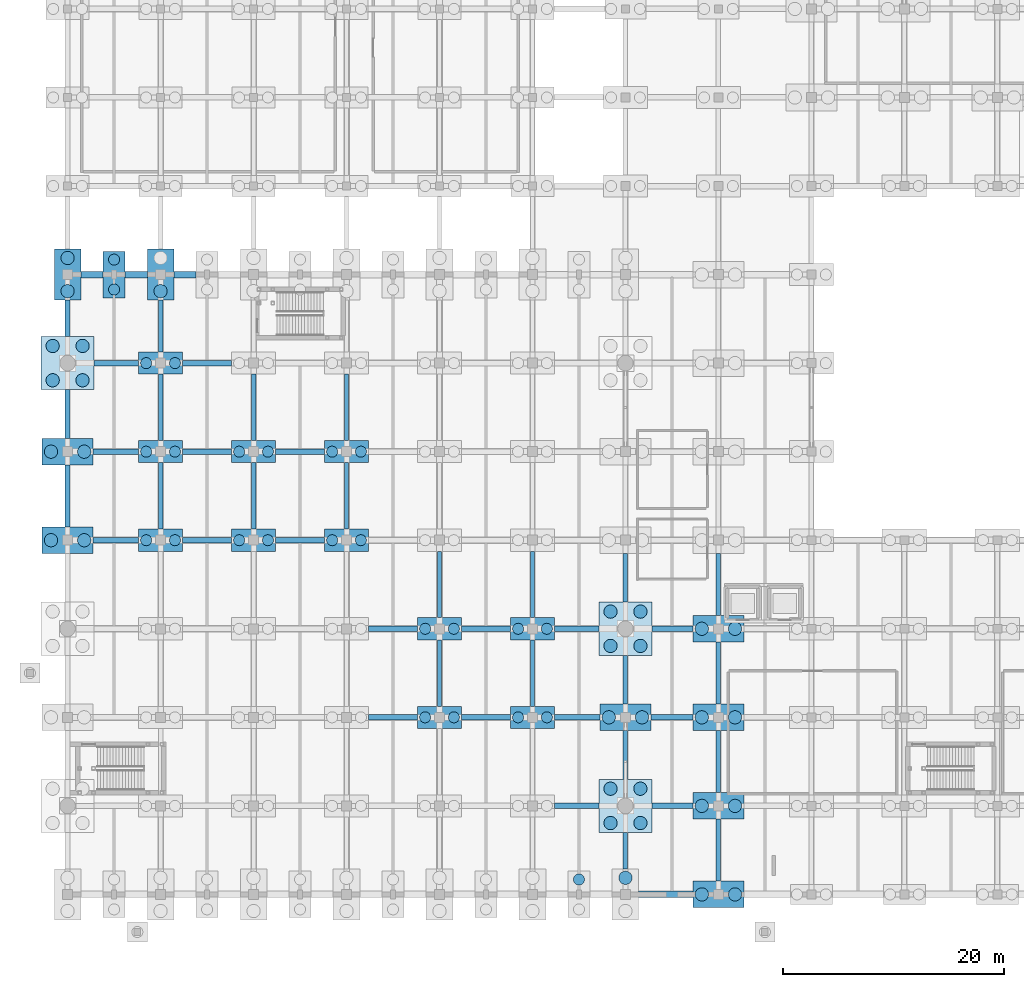
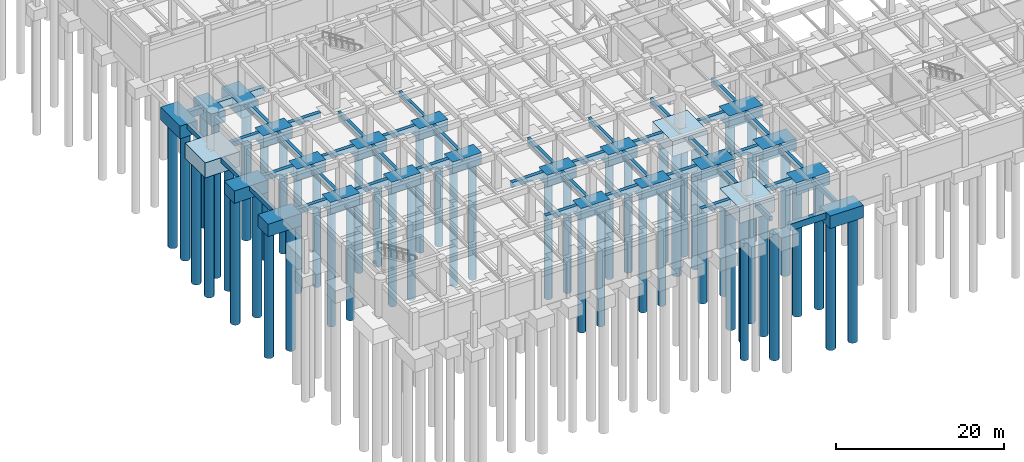
# One storey, part 2 of 56: 68 footings, 55 piles.
"""IFC4 building model written with IfcOpenShell, lengths in metres."""

from ifc_helpers import new_model, si_unit, direction, frame, origin, origin_2d, place, context, subcontext, project, spatial, rectangle, circle, extrude, material, material_profile, profile_set, type_object, element, save


model = new_model("IFC4")

# Units and contexts
model_context = context("Model", 3, precision=1e-05, world=origin(), true_north=direction((0.0, 1.0)))
body_context = subcontext(model_context, "Body", "Model", "MODEL_VIEW")
ifc_project = project(units=[si_unit("LENGTHUNIT", "METRE"), si_unit("AREAUNIT", "SQUARE_METRE"), si_unit("VOLUMEUNIT", "CUBIC_METRE"), si_unit("PLANEANGLEUNIT", "RADIAN"), si_unit("MASSUNIT", "GRAM", prefix="KILO")], contexts=[model_context])

# Site, building, storey
site_placement = place(None, origin())
site = spatial("IfcSite", under=ifc_project, at=site_placement, CompositionType="ELEMENT")
building_placement = place(site_placement, origin())
building = spatial("IfcBuilding", under=site, at=building_placement, Name="Naruveol Harbour Congress Hotel", CompositionType="ELEMENT")
storey_placement = place(building_placement, frame((0.0, 0.0, -5.39990234375)))
storey = spatial("IfcBuildingStorey", under=building, at=storey_placement, Name="B01", CompositionType="ELEMENT", Elevation=-5.39990234375)

# Piles
ifc_material_1 = material(Name="Concrete C40/50", Category="concrete")
ifc_material_profile_1 = material_profile(ifc_material_1, circle(Radius=0.5, at=origin_2d()), Name="BP-1000")
ifc_profile_set_1 = profile_set([ifc_material_profile_1], Name="Concrete C40/50")
pile_type_1 = type_object("IfcPileType", Name="BORED ROCK SOCKETED PILE D1000", PredefinedType="BORED", material=ifc_profile_set_1)
for number, where, z_axis, x_axis, name in (
    (1, (4.199951171875, 54.64990234375, -1.550048828125), (0.0, 0.0, -1.0), (1.0, 0.0, 0.0), "Bored pile BP-1000 #1 under FTG-CAP-0042-0560"),
    (2, (4.199951171875, 57.35009765625, -1.550048828125), (0.0, 0.0, -1.0), (1.0, 0.0, 0.0), "Bored pile BP-1000 #2 under FTG-CAP-0042-0560"),
    (3, (7.10009765625, 32.0, -1.550048828125), (0.0, 0.0, -1.0), (1.0, 0.0, 0.0), "Bored pile BP-1000 #1 under FTG-CAP-0084-0320"),
    (4, (9.699951171875, 32.0, -1.550048828125), (0.0, 0.0, -1.0), (1.0, 0.0, 0.0), "Bored pile BP-1000 #2 under FTG-CAP-0084-0320"),
    (5, (7.10009765625, 40.0, -1.550048828125), (0.0, 0.0, -1.0), (1.0, 0.0, 0.0), "Bored pile BP-1000 #1 under FTG-CAP-0084-0400"),
    (6, (9.699951171875, 40.0, -1.550048828125), (0.0, 0.0, -1.0), (1.0, 0.0, 0.0), "Bored pile BP-1000 #2 under FTG-CAP-0084-0400"),
    (7, (7.10009765625, 48.0, -1.550048828125), (0.0, 0.0, -1.0), (1.0, 0.0, 0.0), "Bored pile BP-1000 #1 under FTG-CAP-0084-0480"),
    (8, (9.699951171875, 48.0, -1.550048828125), (0.0, 0.0, -1.0), (1.0, 0.0, 0.0), "Bored pile BP-1000 #2 under FTG-CAP-0084-0480"),
    (9, (15.5, 32.0, -1.550048828125), (0.0, 0.0, -1.0), (1.0, 0.0, 0.0), "Bored pile BP-1000 #1 under FTG-CAP-0168-0320"),
    (10, (18.10009765625, 32.0, -1.550048828125), (0.0, 0.0, -1.0), (1.0, 0.0, 0.0), "Bored pile BP-1000 #2 under FTG-CAP-0168-0320"),
    (11, (15.5, 40.0, -1.550048828125), (0.0, 0.0, -1.0), (1.0, 0.0, 0.0), "Bored pile BP-1000 #1 under FTG-CAP-0168-0400"),
    (12, (18.10009765625, 40.0, -1.550048828125), (0.0, 0.0, -1.0), (1.0, 0.0, 0.0), "Bored pile BP-1000 #2 under FTG-CAP-0168-0400"),
    (13, (23.89990234375, 32.0, -1.550048828125), (0.0, 0.0, -1.0), (1.0, 0.0, 0.0), "Bored pile BP-1000 #1 under FTG-CAP-0252-0320"),
    (14, (26.5, 32.0, -1.550048828125), (0.0, 0.0, -1.0), (1.0, 0.0, 0.0), "Bored pile BP-1000 #2 under FTG-CAP-0252-0320"),
    (15, (23.89990234375, 40.0, -1.550048828125), (0.0, 0.0, -1.0), (1.0, 0.0, 0.0), "Bored pile BP-1000 #1 under FTG-CAP-0252-0400"),
    (16, (26.5, 40.0, -1.550048828125), (0.0, 0.0, -1.0), (1.0, 0.0, 0.0), "Bored pile BP-1000 #2 under FTG-CAP-0252-0400"),
    (17, (32.300048828125, 16.0, -1.550048828125), (0.0, 0.0, -1.0), (1.0, 0.0, 0.0), "Bored pile BP-1000 #1 under FTG-CAP-0336-0160"),
    (18, (34.89990234375, 16.0, -1.550048828125), (0.0, 0.0, -1.0), (1.0, 0.0, 0.0), "Bored pile BP-1000 #2 under FTG-CAP-0336-0160"),
    (19, (32.300048828125, 24.0, -1.550048828125), (0.0, 0.0, -1.0), (1.0, 0.0, 0.0), "Bored pile BP-1000 #1 under FTG-CAP-0336-0240"),
    (20, (34.89990234375, 24.0, -1.550048828125), (0.0, 0.0, -1.0), (1.0, 0.0, 0.0), "Bored pile BP-1000 #2 under FTG-CAP-0336-0240"),
    (21, (40.699951171875, 16.0, -1.550048828125), (0.0, 0.0, -1.0), (1.0, 0.0, 0.0), "Bored pile BP-1000 #1 under FTG-CAP-0420-0160"),
    (22, (43.300048828125, 16.0, -1.550048828125), (0.0, 0.0, -1.0), (1.0, 0.0, 0.0), "Bored pile BP-1000 #2 under FTG-CAP-0420-0160"),
    (23, (40.699951171875, 24.0, -1.550048828125), (0.0, 0.0, -1.0), (1.0, 0.0, 0.0), "Bored pile BP-1000 #1 under FTG-CAP-0420-0240"),
    (24, (43.300048828125, 24.0, -1.550048828125), (0.0, 0.0, -1.0), (1.0, 0.0, 0.0), "Bored pile BP-1000 #2 under FTG-CAP-0420-0240"),
    (25, (46.199951171875, 1.35009765625, -1.550048828125), (0.0, 0.0, -1.0), (1.0, 0.0, 0.0), "Bored pile BP-1000 #2 under FTG-CAP-0462-0000"),
):
    element("IfcPile", number, at=place(storey_placement, frame(where, z_axis=z_axis, x_axis=x_axis)), inside=storey, type_object=pile_type_1, Name=name, PredefinedType="BORED", context=body_context, shape_type="SweptSolid", body=[
        extrude(circle(Radius=0.5, at=origin_2d()), origin(), (0.0, 0.0, 1.0), 17.050048828125),
    ])
ifc_material_2 = material(Name="Concrete C40/50", Category="concrete")
ifc_material_profile_2 = material_profile(ifc_material_2, circle(Radius=0.60009765625, at=origin_2d()), Name="BP-1200")
ifc_profile_set_2 = profile_set([ifc_material_profile_2], Name="Concrete C40/50")
pile_type_2 = type_object("IfcPileType", Name="BORED ROCK SOCKETED PILE D1200", PredefinedType="BORED", material=ifc_profile_set_2)
for number, where, z_axis, x_axis, name in (
    (26, (-1.5, 32.0, -1.650146484375), (0.0, 0.0, -1.0), (1.0, 0.0, 0.0), "Bored pile BP-1200 #1 under FTG-CAP-0000-0320"),
    (27, (1.5, 32.0, -1.650146484375), (0.0, 0.0, -1.0), (1.0, 0.0, 0.0), "Bored pile BP-1200 #2 under FTG-CAP-0000-0320"),
    (28, (-1.5, 40.0, -1.650146484375), (0.0, 0.0, -1.0), (1.0, 0.0, 0.0), "Bored pile BP-1200 #1 under FTG-CAP-0000-0400"),
    (29, (1.5, 40.0, -1.650146484375), (0.0, 0.0, -1.0), (1.0, 0.0, 0.0), "Bored pile BP-1200 #2 under FTG-CAP-0000-0400"),
):
    element("IfcPile", number, at=place(storey_placement, frame(where, z_axis=z_axis, x_axis=x_axis)), inside=storey, type_object=pile_type_2, Name=name, PredefinedType="BORED", context=body_context, shape_type="SweptSolid", body=[
        extrude(circle(Radius=0.60009765625, at=origin_2d()), origin(), (0.0, 0.0, 1.0), 18.449951171875),
    ])
for number, where, z_axis, x_axis, name in (
    (30, (-1.35009765625, 46.449951171875, -2.050048828125), (0.0, 0.0, -1.0), (1.0, 0.0, 0.0), "Bored pile BP-1200 #1 under FTG-CAP-0000-0480"),
    (31, (1.35009765625, 46.449951171875, -2.050048828125), (0.0, 0.0, -1.0), (1.0, 0.0, 0.0), "Bored pile BP-1200 #2 under FTG-CAP-0000-0480"),
    (32, (-1.35009765625, 49.550048828125, -2.050048828125), (0.0, 0.0, -1.0), (1.0, 0.0, 0.0), "Bored pile BP-1200 #3 under FTG-CAP-0000-0480"),
    (33, (1.35009765625, 49.550048828125, -2.050048828125), (0.0, 0.0, -1.0), (1.0, 0.0, 0.0), "Bored pile BP-1200 #4 under FTG-CAP-0000-0480"),
):
    element("IfcPile", number, at=place(storey_placement, frame(where, z_axis=z_axis, x_axis=x_axis)), inside=storey, type_object=pile_type_2, Name=name, PredefinedType="BORED", context=body_context, shape_type="SweptSolid", body=[
        extrude(circle(Radius=0.60009765625, at=origin_2d()), origin(), (0.0, 0.0, 1.0), 18.050048828125),
    ])
for number, where, z_axis, x_axis, name in (
    (34, (0.0, 54.5, -1.7001953125), (0.0, 0.0, -1.0), (1.0, 0.0, 0.0), "Bored pile BP-1200 #1 under FTG-CAP-0000-0560"),
    (35, (0.0, 57.5, -1.7001953125), (0.0, 0.0, -1.0), (1.0, 0.0, 0.0), "Bored pile BP-1200 #2 under FTG-CAP-0000-0560"),
    (36, (8.39990234375, 54.5, -1.7001953125), (0.0, 0.0, -1.0), (1.0, 0.0, 0.0), "Bored pile BP-1200 #1 under FTG-CAP-0084-0560"),
    (37, (50.39990234375, 1.5, -1.7001953125), (0.0, 0.0, -1.0), (1.0, 0.0, 0.0), "Bored pile BP-1200 #2 under FTG-CAP-0504-0000"),
):
    element("IfcPile", number, at=place(storey_placement, frame(where, z_axis=z_axis, x_axis=x_axis)), inside=storey, type_object=pile_type_2, Name=name, PredefinedType="BORED", context=body_context, shape_type="SweptSolid", body=[
        extrude(circle(Radius=0.60009765625, at=origin_2d()), origin(), (0.0, 0.0, 1.0), 18.39990234375),
    ])
for number, where, z_axis, x_axis, name in (
    (38, (49.050048828125, 6.449951171875, -2.050048828125), (0.0, 0.0, -1.0), (1.0, 0.0, 0.0), "Bored pile BP-1200 #1 under FTG-CAP-0504-0080"),
    (39, (51.75, 6.449951171875, -2.050048828125), (0.0, 0.0, -1.0), (1.0, 0.0, 0.0), "Bored pile BP-1200 #2 under FTG-CAP-0504-0080"),
    (40, (49.050048828125, 9.550048828125, -2.050048828125), (0.0, 0.0, -1.0), (1.0, 0.0, 0.0), "Bored pile BP-1200 #3 under FTG-CAP-0504-0080"),
    (41, (51.75, 9.550048828125, -2.050048828125), (0.0, 0.0, -1.0), (1.0, 0.0, 0.0), "Bored pile BP-1200 #4 under FTG-CAP-0504-0080"),
):
    element("IfcPile", number, at=place(storey_placement, frame(where, z_axis=z_axis, x_axis=x_axis)), inside=storey, type_object=pile_type_2, Name=name, PredefinedType="BORED", context=body_context, shape_type="SweptSolid", body=[
        extrude(circle(Radius=0.60009765625, at=origin_2d()), origin(), (0.0, 0.0, 1.0), 18.050048828125),
    ])
for number, where, z_axis, x_axis, name in (
    (42, (48.89990234375, 16.0, -1.650146484375), (0.0, 0.0, -1.0), (1.0, 0.0, 0.0), "Bored pile BP-1200 #1 under FTG-CAP-0504-0160"),
    (43, (51.89990234375, 16.0, -1.650146484375), (0.0, 0.0, -1.0), (1.0, 0.0, 0.0), "Bored pile BP-1200 #2 under FTG-CAP-0504-0160"),
):
    element("IfcPile", number, at=place(storey_placement, frame(where, z_axis=z_axis, x_axis=x_axis)), inside=storey, type_object=pile_type_2, Name=name, PredefinedType="BORED", context=body_context, shape_type="SweptSolid", body=[
        extrude(circle(Radius=0.60009765625, at=origin_2d()), origin(), (0.0, 0.0, 1.0), 18.449951171875),
    ])
for number, where, z_axis, x_axis, name in (
    (44, (49.050048828125, 22.449951171875, -2.050048828125), (0.0, 0.0, -1.0), (1.0, 0.0, 0.0), "Bored pile BP-1200 #1 under FTG-CAP-0504-0240"),
    (45, (51.75, 22.449951171875, -2.050048828125), (0.0, 0.0, -1.0), (1.0, 0.0, 0.0), "Bored pile BP-1200 #2 under FTG-CAP-0504-0240"),
    (46, (49.050048828125, 25.550048828125, -2.050048828125), (0.0, 0.0, -1.0), (1.0, 0.0, 0.0), "Bored pile BP-1200 #3 under FTG-CAP-0504-0240"),
    (47, (51.75, 25.550048828125, -2.050048828125), (0.0, 0.0, -1.0), (1.0, 0.0, 0.0), "Bored pile BP-1200 #4 under FTG-CAP-0504-0240"),
):
    element("IfcPile", number, at=place(storey_placement, frame(where, z_axis=z_axis, x_axis=x_axis)), inside=storey, type_object=pile_type_2, Name=name, PredefinedType="BORED", context=body_context, shape_type="SweptSolid", body=[
        extrude(circle(Radius=0.60009765625, at=origin_2d()), origin(), (0.0, 0.0, 1.0), 18.050048828125),
    ])
for number, where, z_axis, x_axis, name in (
    (48, (57.300048828125, 0.0, -1.650146484375), (0.0, 0.0, -1.0), (1.0, 0.0, 0.0), "Bored pile BP-1200 #1 under FTG-CAP-0588-0000"),
    (49, (60.300048828125, 0.0, -1.650146484375), (0.0, 0.0, -1.0), (1.0, 0.0, 0.0), "Bored pile BP-1200 #2 under FTG-CAP-0588-0000"),
    (50, (57.300048828125, 8.0, -1.650146484375), (0.0, 0.0, -1.0), (1.0, 0.0, 0.0), "Bored pile BP-1200 #1 under FTG-CAP-0588-0080"),
    (51, (60.300048828125, 8.0, -1.650146484375), (0.0, 0.0, -1.0), (1.0, 0.0, 0.0), "Bored pile BP-1200 #2 under FTG-CAP-0588-0080"),
    (52, (57.300048828125, 16.0, -1.650146484375), (0.0, 0.0, -1.0), (1.0, 0.0, 0.0), "Bored pile BP-1200 #1 under FTG-CAP-0588-0160"),
    (53, (60.300048828125, 16.0, -1.650146484375), (0.0, 0.0, -1.0), (1.0, 0.0, 0.0), "Bored pile BP-1200 #2 under FTG-CAP-0588-0160"),
    (54, (57.300048828125, 24.0, -1.650146484375), (0.0, 0.0, -1.0), (1.0, 0.0, 0.0), "Bored pile BP-1200 #1 under FTG-CAP-0588-0240"),
    (55, (60.300048828125, 24.0, -1.650146484375), (0.0, 0.0, -1.0), (1.0, 0.0, 0.0), "Bored pile BP-1200 #2 under FTG-CAP-0588-0240"),
):
    element("IfcPile", number, at=place(storey_placement, frame(where, z_axis=z_axis, x_axis=x_axis)), inside=storey, type_object=pile_type_2, Name=name, PredefinedType="BORED", context=body_context, shape_type="SweptSolid", body=[
        extrude(circle(Radius=0.60009765625, at=origin_2d()), origin(), (0.0, 0.0, 1.0), 18.449951171875),
    ])

# Footings
ifc_material_3 = material(Name="Concrete C40/50", Category="concrete")
footing_type_1 = type_object("IfcFootingType", Name="RC BOUNDARY PILE CAP 2400X4600X1850", PredefinedType="PILE_CAP", material=ifc_material_3)
for number, where, z_axis, x_axis, name in (
    (56, (0.0, 56.0, -1.85009765625), (0.0, 0.0, 1.0), (1.0, 0.0, 0.0), "Pile cap PC12 at (0.0, 56.0)"),
    (57, (8.39990234375, 56.0, -1.85009765625), (0.0, 0.0, 1.0), (1.0, 0.0, 0.0), "Pile cap PC12 at (8.4, 56.0)"),
):
    element("IfcFooting", number, at=place(storey_placement, frame(where, z_axis=z_axis, x_axis=x_axis)), inside=storey, type_object=footing_type_1, Name=name, PredefinedType="PILE_CAP", context=body_context, shape_type="SweptSolid", body=[
        extrude(rectangle(XDim=2.39990234375, YDim=4.60009765625, at=origin_2d()), origin(), (0.0, 0.0, 1.0), 1.85009765625),
    ])
ifc_material_4 = material(Name="Concrete C40/50", Category="concrete")
ifc_material_profile_3 = material_profile(ifc_material_4, rectangle(XDim=0.39990234375, YDim=0.64990234375, at=origin_2d()), Name="RCB-400x650")
ifc_profile_set_3 = profile_set([ifc_material_profile_3], Name="Concrete C40/50")
footing_type_2 = type_object("IfcFootingType", Name="RC COLONNADE TIE BEAM 400X650", PredefinedType="FOOTING_BEAM", material=ifc_profile_set_3)
for number, where, z_axis, x_axis, name in (
    (58, (8.39990234375, 33.0, -0.3251953125), (0.0, 1.0, 0.0), (-1.0, 0.0, 0.0), "Foundation tie beam TB4 #244"),
    (59, (8.39990234375, 41.0, -0.3251953125), (0.0, 1.0, 0.0), (-1.0, 0.0, 0.0), "Foundation tie beam TB4 #245"),
):
    element("IfcFooting", number, at=place(storey_placement, frame(where, z_axis=z_axis, x_axis=x_axis)), inside=storey, type_object=footing_type_2, Name=name, PredefinedType="FOOTING_BEAM", context=body_context, shape_type="SweptSolid", body=[
        extrude(rectangle(XDim=0.39990234375, YDim=0.64990234375, at=origin_2d()), origin(), (0.0, 0.0, 1.0), 6.0),
    ])
footing_1_placement = place(storey_placement, frame((8.39990234375, 49.0, -0.3251953125), z_axis=(0.0, 1.0, 0.0), x_axis=(-1.0, 0.0, 0.0)))
element("IfcFooting", 60, at=footing_1_placement, inside=storey, type_object=footing_type_2, Name="Foundation tie beam TB4 #246", PredefinedType="FOOTING_BEAM", context=body_context, shape_type="SweptSolid", body=[
    extrude(rectangle(XDim=0.39990234375, YDim=0.64990234375, at=origin_2d()), origin(), (0.0, 0.0, 1.0), 4.699951171875),
])
for number, where, z_axis, x_axis, name in (
    (61, (16.800048828125, 33.0, -0.3251953125), (0.0, 1.0, 0.0), (-1.0, 0.0, 0.0), "Foundation tie beam TB4 #258"),
    (62, (16.800048828125, 41.0, -0.3251953125), (0.0, 1.0, 0.0), (-1.0, 0.0, 0.0), "Foundation tie beam TB4 #259"),
    (63, (25.199951171875, 33.0, -0.3251953125), (0.0, 1.0, 0.0), (-1.0, 0.0, 0.0), "Foundation tie beam TB4 #272"),
    (64, (25.199951171875, 41.0, -0.3251953125), (0.0, 1.0, 0.0), (-1.0, 0.0, 0.0), "Foundation tie beam TB4 #273"),
    (65, (33.60009765625, 17.0, -0.3251953125), (0.0, 1.0, 0.0), (-1.0, 0.0, 0.0), "Foundation tie beam TB4 #284"),
    (66, (33.60009765625, 25.0, -0.3251953125), (0.0, 1.0, 0.0), (-1.0, 0.0, 0.0), "Foundation tie beam TB4 #285"),
    (67, (42.0, 17.0, -0.3251953125), (0.0, 1.0, 0.0), (-1.0, 0.0, 0.0), "Foundation tie beam TB4 #298"),
    (68, (42.0, 25.0, -0.3251953125), (0.0, 1.0, 0.0), (-1.0, 0.0, 0.0), "Foundation tie beam TB4 #299"),
):
    element("IfcFooting", number, at=place(storey_placement, frame(where, z_axis=z_axis, x_axis=x_axis)), inside=storey, type_object=footing_type_2, Name=name, PredefinedType="FOOTING_BEAM", context=body_context, shape_type="SweptSolid", body=[
        extrude(rectangle(XDim=0.39990234375, YDim=0.64990234375, at=origin_2d()), origin(), (0.0, 0.0, 1.0), 6.0),
    ])
footing_2_placement = place(storey_placement, frame((50.39990234375, 2.300048828125, -0.3251953125), z_axis=(0.0, 1.0, 0.0), x_axis=(-1.0, 0.0, 0.0)))
element("IfcFooting", 69, at=footing_2_placement, inside=storey, type_object=footing_type_2, Name="Foundation tie beam TB4 #310", PredefinedType="FOOTING_BEAM", context=body_context, shape_type="SweptSolid", body=[
    extrude(rectangle(XDim=0.39990234375, YDim=0.64990234375, at=origin_2d()), origin(), (0.0, 0.0, 1.0), 3.300048828125),
])
for number, where, z_axis, x_axis, name in (
    (70, (50.39990234375, 10.39990234375, -0.3251953125), (0.0, 1.0, 0.0), (-1.0, 0.0, 0.0), "Foundation tie beam TB4 #311"),
    (71, (50.39990234375, 17.199951171875, -0.3251953125), (0.0, 1.0, 0.0), (-1.0, 0.0, 0.0), "Foundation tie beam TB4 #312"),
    (72, (50.39990234375, 26.39990234375, -0.3251953125), (0.0, 1.0, 0.0), (-1.0, 0.0, 0.0), "Foundation tie beam TB4 #313"),
):
    element("IfcFooting", number, at=place(storey_placement, frame(where, z_axis=z_axis, x_axis=x_axis)), inside=storey, type_object=footing_type_2, Name=name, PredefinedType="FOOTING_BEAM", context=body_context, shape_type="SweptSolid", body=[
        extrude(rectangle(XDim=0.39990234375, YDim=0.64990234375, at=origin_2d()), origin(), (0.0, 0.0, 1.0), 4.400146484375),
    ])
for number, where, z_axis, x_axis, name in (
    (73, (58.800048828125, 1.199951171875, -0.3251953125), (0.0, 1.0, 0.0), (-1.0, 0.0, 0.0), "Foundation tie beam TB4 #322"),
    (74, (58.800048828125, 9.199951171875, -0.3251953125), (0.0, 1.0, 0.0), (-1.0, 0.0, 0.0), "Foundation tie beam TB4 #323"),
    (75, (58.800048828125, 17.199951171875, -0.3251953125), (0.0, 1.0, 0.0), (-1.0, 0.0, 0.0), "Foundation tie beam TB4 #324"),
    (76, (58.800048828125, 25.199951171875, -0.3251953125), (0.0, 1.0, 0.0), (-1.0, 0.0, 0.0), "Foundation tie beam TB4 #325"),
):
    element("IfcFooting", number, at=place(storey_placement, frame(where, z_axis=z_axis, x_axis=x_axis)), inside=storey, type_object=footing_type_2, Name=name, PredefinedType="FOOTING_BEAM", context=body_context, shape_type="SweptSolid", body=[
        extrude(rectangle(XDim=0.39990234375, YDim=0.64990234375, at=origin_2d()), origin(), (0.0, 0.0, 1.0), 5.60009765625),
    ])
ifc_material_5 = material(Name="Concrete C40/50", Category="concrete")
ifc_material_profile_4 = material_profile(ifc_material_5, rectangle(XDim=0.5, YDim=0.75, at=origin_2d()), Name="RCB-500x750")
ifc_profile_set_4 = profile_set([ifc_material_profile_4], Name="Concrete C40/50")
footing_type_3 = type_object("IfcFootingType", Name="RC FOUNDATION TIE BEAM 500X750", PredefinedType="FOOTING_BEAM", material=ifc_profile_set_4)
footing_3_placement = place(storey_placement, frame((44.0, 8.0, -0.375), z_axis=(1.0, 0.0, 0.0), x_axis=(0.0, 1.0, 0.0)))
element("IfcFooting", 77, at=footing_3_placement, inside=storey, type_object=footing_type_3, Name="Foundation tie beam TB2 #29", PredefinedType="FOOTING_BEAM", context=body_context, shape_type="SweptSolid", body=[
    extrude(rectangle(XDim=0.5, YDim=0.75, at=origin_2d()), origin(), (0.0, 0.0, 1.0), 4.0),
])
footing_4_placement = place(storey_placement, frame((52.800048828125, 8.0, -0.375), z_axis=(1.0, 0.0, 0.0), x_axis=(0.0, 1.0, 0.0)))
element("IfcFooting", 78, at=footing_4_placement, inside=storey, type_object=footing_type_3, Name="Foundation tie beam TB2 #30", PredefinedType="FOOTING_BEAM", context=body_context, shape_type="SweptSolid", body=[
    extrude(rectangle(XDim=0.5, YDim=0.75, at=origin_2d()), origin(), (0.0, 0.0, 1.0), 3.699951171875),
])
footing_5_placement = place(storey_placement, frame((27.199951171875, 16.0, -0.375), z_axis=(1.0, 0.0, 0.0), x_axis=(0.0, 1.0, 0.0)))
element("IfcFooting", 79, at=footing_5_placement, inside=storey, type_object=footing_type_3, Name="Foundation tie beam TB2 #42", PredefinedType="FOOTING_BEAM", context=body_context, shape_type="SweptSolid", body=[
    extrude(rectangle(XDim=0.5, YDim=0.75, at=origin_2d()), origin(), (0.0, 0.0, 1.0), 4.400146484375),
])
footing_6_placement = place(storey_placement, frame((35.60009765625, 16.0, -0.375), z_axis=(1.0, 0.0, 0.0), x_axis=(0.0, 1.0, 0.0)))
element("IfcFooting", 80, at=footing_6_placement, inside=storey, type_object=footing_type_3, Name="Foundation tie beam TB2 #43", PredefinedType="FOOTING_BEAM", context=body_context, shape_type="SweptSolid", body=[
    extrude(rectangle(XDim=0.5, YDim=0.75, at=origin_2d()), origin(), (0.0, 0.0, 1.0), 4.39990234375),
])
footing_7_placement = place(storey_placement, frame((44.0, 16.0, -0.375), z_axis=(1.0, 0.0, 0.0), x_axis=(0.0, 1.0, 0.0)))
element("IfcFooting", 81, at=footing_7_placement, inside=storey, type_object=footing_type_3, Name="Foundation tie beam TB2 #44", PredefinedType="FOOTING_BEAM", context=body_context, shape_type="SweptSolid", body=[
    extrude(rectangle(XDim=0.5, YDim=0.75, at=origin_2d()), origin(), (0.0, 0.0, 1.0), 4.10009765625),
])
footing_8_placement = place(storey_placement, frame((52.699951171875, 16.0, -0.375), z_axis=(1.0, 0.0, 0.0), x_axis=(0.0, 1.0, 0.0)))
element("IfcFooting", 82, at=footing_8_placement, inside=storey, type_object=footing_type_3, Name="Foundation tie beam TB2 #45", PredefinedType="FOOTING_BEAM", context=body_context, shape_type="SweptSolid", body=[
    extrude(rectangle(XDim=0.5, YDim=0.75, at=origin_2d()), origin(), (0.0, 0.0, 1.0), 3.800048828125),
])
footing_9_placement = place(storey_placement, frame((27.199951171875, 24.0, -0.375), z_axis=(1.0, 0.0, 0.0), x_axis=(0.0, 1.0, 0.0)))
element("IfcFooting", 83, at=footing_9_placement, inside=storey, type_object=footing_type_3, Name="Foundation tie beam TB2 #60", PredefinedType="FOOTING_BEAM", context=body_context, shape_type="SweptSolid", body=[
    extrude(rectangle(XDim=0.5, YDim=0.75, at=origin_2d()), origin(), (0.0, 0.0, 1.0), 4.400146484375),
])
footing_10_placement = place(storey_placement, frame((35.60009765625, 24.0, -0.375), z_axis=(1.0, 0.0, 0.0), x_axis=(0.0, 1.0, 0.0)))
element("IfcFooting", 84, at=footing_10_placement, inside=storey, type_object=footing_type_3, Name="Foundation tie beam TB2 #61", PredefinedType="FOOTING_BEAM", context=body_context, shape_type="SweptSolid", body=[
    extrude(rectangle(XDim=0.5, YDim=0.75, at=origin_2d()), origin(), (0.0, 0.0, 1.0), 4.39990234375),
])
footing_11_placement = place(storey_placement, frame((44.0, 24.0, -0.375), z_axis=(1.0, 0.0, 0.0), x_axis=(0.0, 1.0, 0.0)))
element("IfcFooting", 85, at=footing_11_placement, inside=storey, type_object=footing_type_3, Name="Foundation tie beam TB2 #62", PredefinedType="FOOTING_BEAM", context=body_context, shape_type="SweptSolid", body=[
    extrude(rectangle(XDim=0.5, YDim=0.75, at=origin_2d()), origin(), (0.0, 0.0, 1.0), 4.0),
])
footing_12_placement = place(storey_placement, frame((52.800048828125, 24.0, -0.375), z_axis=(1.0, 0.0, 0.0), x_axis=(0.0, 1.0, 0.0)))
element("IfcFooting", 86, at=footing_12_placement, inside=storey, type_object=footing_type_3, Name="Foundation tie beam TB2 #63", PredefinedType="FOOTING_BEAM", context=body_context, shape_type="SweptSolid", body=[
    extrude(rectangle(XDim=0.5, YDim=0.75, at=origin_2d()), origin(), (0.0, 0.0, 1.0), 3.699951171875),
])
footing_13_placement = place(storey_placement, frame((2.300048828125, 32.0, -0.375), z_axis=(1.0, 0.0, 0.0), x_axis=(0.0, 1.0, 0.0)))
element("IfcFooting", 87, at=footing_13_placement, inside=storey, type_object=footing_type_3, Name="Foundation tie beam TB2 #71", PredefinedType="FOOTING_BEAM", context=body_context, shape_type="SweptSolid", body=[
    extrude(rectangle(XDim=0.5, YDim=0.75, at=origin_2d()), origin(), (0.0, 0.0, 1.0), 4.099853515625),
])
footing_14_placement = place(storey_placement, frame((10.39990234375, 32.0, -0.375), z_axis=(1.0, 0.0, 0.0), x_axis=(0.0, 1.0, 0.0)))
element("IfcFooting", 88, at=footing_14_placement, inside=storey, type_object=footing_type_3, Name="Foundation tie beam TB2 #72", PredefinedType="FOOTING_BEAM", context=body_context, shape_type="SweptSolid", body=[
    extrude(rectangle(XDim=0.5, YDim=0.75, at=origin_2d()), origin(), (0.0, 0.0, 1.0), 4.400146484375),
])
footing_15_placement = place(storey_placement, frame((18.800048828125, 32.0, -0.375), z_axis=(1.0, 0.0, 0.0), x_axis=(0.0, 1.0, 0.0)))
element("IfcFooting", 89, at=footing_15_placement, inside=storey, type_object=footing_type_3, Name="Foundation tie beam TB2 #73", PredefinedType="FOOTING_BEAM", context=body_context, shape_type="SweptSolid", body=[
    extrude(rectangle(XDim=0.5, YDim=0.75, at=origin_2d()), origin(), (0.0, 0.0, 1.0), 4.39990234375),
])
footing_16_placement = place(storey_placement, frame((2.300048828125, 40.0, -0.375), z_axis=(1.0, 0.0, 0.0), x_axis=(0.0, 1.0, 0.0)))
element("IfcFooting", 90, at=footing_16_placement, inside=storey, type_object=footing_type_3, Name="Foundation tie beam TB2 #89", PredefinedType="FOOTING_BEAM", context=body_context, shape_type="SweptSolid", body=[
    extrude(rectangle(XDim=0.5, YDim=0.75, at=origin_2d()), origin(), (0.0, 0.0, 1.0), 4.099853515625),
])
footing_17_placement = place(storey_placement, frame((10.39990234375, 40.0, -0.375), z_axis=(1.0, 0.0, 0.0), x_axis=(0.0, 1.0, 0.0)))
element("IfcFooting", 91, at=footing_17_placement, inside=storey, type_object=footing_type_3, Name="Foundation tie beam TB2 #90", PredefinedType="FOOTING_BEAM", context=body_context, shape_type="SweptSolid", body=[
    extrude(rectangle(XDim=0.5, YDim=0.75, at=origin_2d()), origin(), (0.0, 0.0, 1.0), 4.400146484375),
])
footing_18_placement = place(storey_placement, frame((18.800048828125, 40.0, -0.375), z_axis=(1.0, 0.0, 0.0), x_axis=(0.0, 1.0, 0.0)))
element("IfcFooting", 92, at=footing_18_placement, inside=storey, type_object=footing_type_3, Name="Foundation tie beam TB2 #91", PredefinedType="FOOTING_BEAM", context=body_context, shape_type="SweptSolid", body=[
    extrude(rectangle(XDim=0.5, YDim=0.75, at=origin_2d()), origin(), (0.0, 0.0, 1.0), 4.39990234375),
])
footing_19_placement = place(storey_placement, frame((2.39990234375, 48.0, -0.375), z_axis=(1.0, 0.0, 0.0), x_axis=(0.0, 1.0, 0.0)))
element("IfcFooting", 93, at=footing_19_placement, inside=storey, type_object=footing_type_3, Name="Foundation tie beam TB2 #100", PredefinedType="FOOTING_BEAM", context=body_context, shape_type="SweptSolid", body=[
    extrude(rectangle(XDim=0.5, YDim=0.75, at=origin_2d()), origin(), (0.0, 0.0, 1.0), 4.0),
])
footing_20_placement = place(storey_placement, frame((10.39990234375, 48.0, -0.375), z_axis=(1.0, 0.0, 0.0), x_axis=(0.0, 1.0, 0.0)))
element("IfcFooting", 94, at=footing_20_placement, inside=storey, type_object=footing_type_3, Name="Foundation tie beam TB2 #101", PredefinedType="FOOTING_BEAM", context=body_context, shape_type="SweptSolid", body=[
    extrude(rectangle(XDim=0.5, YDim=0.75, at=origin_2d()), origin(), (0.0, 0.0, 1.0), 4.400146484375),
])
ifc_material_6 = material(Name="Concrete C40/50", Category="concrete")
ifc_material_profile_5 = material_profile(ifc_material_6, rectangle(XDim=0.60009765625, YDim=0.949951171875, at=origin_2d()), Name="RCB-600x950")
ifc_profile_set_5 = profile_set([ifc_material_profile_5], Name="Concrete C40/50")
footing_type_4 = type_object("IfcFootingType", Name="RC FOUNDATION TIE BEAM 600X900", PredefinedType="FOOTING_BEAM", material=ifc_profile_set_5)
footing_21_placement = place(storey_placement, frame((51.60009765625, 0.0, -0.47509765625), z_axis=(1.0, 0.0, 0.0), x_axis=(0.0, 1.0, 0.0)))
element("IfcFooting", 95, at=footing_21_placement, inside=storey, type_object=footing_type_4, Name="Foundation tie beam TB1 #13", PredefinedType="FOOTING_BEAM", context=body_context, shape_type="SweptSolid", body=[
    extrude(rectangle(XDim=0.60009765625, YDim=0.949951171875, at=origin_2d()), origin(), (0.0, 0.0, 1.0), 4.89990234375),
])
for number, where, z_axis, x_axis, name in (
    (96, (1.199951171875, 56.0, -0.47509765625), (1.0, 0.0, 0.0), (0.0, 1.0, 0.0), "Foundation tie beam TB1 #111"),
    (97, (5.199951171875, 56.0, -0.47509765625), (1.0, 0.0, 0.0), (0.0, 1.0, 0.0), "Foundation tie beam TB1 #112"),
    (98, (9.60009765625, 56.0, -0.47509765625), (1.0, 0.0, 0.0), (0.0, 1.0, 0.0), "Foundation tie beam TB1 #113"),
):
    element("IfcFooting", number, at=place(storey_placement, frame(where, z_axis=z_axis, x_axis=x_axis)), inside=storey, type_object=footing_type_4, Name=name, PredefinedType="FOOTING_BEAM", context=body_context, shape_type="SweptSolid", body=[
        extrude(rectangle(XDim=0.60009765625, YDim=0.949951171875, at=origin_2d()), origin(), (0.0, 0.0, 1.0), 2.0),
    ])
ifc_material_7 = material(Name="Concrete C40/50", Category="concrete")
footing_type_5 = type_object("IfcFootingType", Name="RC HALL PILE CAP 4600X2400X1800", PredefinedType="PILE_CAP", material=ifc_material_7)
for number, where, z_axis, x_axis, name in (
    (99, (0.0, 32.0, -1.80029296875), (0.0, 0.0, 1.0), (1.0, 0.0, 0.0), "Pile cap PC5 at (0.0, 32.0)"),
    (100, (0.0, 40.0, -1.80029296875), (0.0, 0.0, 1.0), (1.0, 0.0, 0.0), "Pile cap PC5 at (0.0, 40.0)"),
    (101, (50.39990234375, 16.0, -1.80029296875), (0.0, 0.0, 1.0), (1.0, 0.0, 0.0), "Pile cap PC5 at (50.4, 16.0)"),
    (102, (58.800048828125, 0.0, -1.80029296875), (0.0, 0.0, 1.0), (1.0, 0.0, 0.0), "Pile cap PC5 at (58.8, 0.0)"),
    (103, (58.800048828125, 8.0, -1.80029296875), (0.0, 0.0, 1.0), (1.0, 0.0, 0.0), "Pile cap PC5 at (58.8, 8.0)"),
    (104, (58.800048828125, 16.0, -1.80029296875), (0.0, 0.0, 1.0), (1.0, 0.0, 0.0), "Pile cap PC5 at (58.8, 16.0)"),
    (105, (58.800048828125, 24.0, -1.80029296875), (0.0, 0.0, 1.0), (1.0, 0.0, 0.0), "Pile cap PC5 at (58.8, 24.0)"),
):
    element("IfcFooting", number, at=place(storey_placement, frame(where, z_axis=z_axis, x_axis=x_axis)), inside=storey, type_object=footing_type_5, Name=name, PredefinedType="PILE_CAP", context=body_context, shape_type="SweptSolid", body=[
        extrude(rectangle(XDim=4.60009765625, YDim=2.39990234375, at=origin_2d()), origin(), (0.0, 0.0, 1.0), 1.800048828125),
    ])
ifc_material_8 = material(Name="Concrete C40/50", Category="concrete")
footing_type_6 = type_object("IfcFootingType", Name="RC MEGA PILE CAP 4800X4800X2200", PredefinedType="PILE_CAP", material=ifc_material_8)
for number, where, z_axis, x_axis, name in (
    (106, (0.0, 48.0, -2.2001953125), (0.0, 0.0, 1.0), (1.0, 0.0, 0.0), "Pile cap PC1 at (0.0, 48.0)"),
    (107, (50.39990234375, 8.0, -2.2001953125), (0.0, 0.0, 1.0), (1.0, 0.0, 0.0), "Pile cap PC1 at (50.4, 8.0)"),
    (108, (50.39990234375, 24.0, -2.2001953125), (0.0, 0.0, 1.0), (1.0, 0.0, 0.0), "Pile cap PC1 at (50.4, 24.0)"),
):
    element("IfcFooting", number, at=place(storey_placement, frame(where, z_axis=z_axis, x_axis=x_axis)), inside=storey, type_object=footing_type_6, Name=name, PredefinedType="PILE_CAP", context=body_context, shape_type="SweptSolid", body=[
        extrude(rectangle(XDim=4.800048828125, YDim=4.800048828125, at=origin_2d()), origin(), (0.0, 0.0, 1.0), 2.199951171875),
    ])
ifc_material_9 = material(Name="Concrete C40/50", Category="concrete")
ifc_material_profile_6 = material_profile(ifc_material_9, rectangle(XDim=0.449951171875, YDim=0.699951171875, at=origin_2d()), Name="RCB-450x700")
ifc_profile_set_6 = profile_set([ifc_material_profile_6], Name="Concrete C40/50")
footing_type_7 = type_object("IfcFootingType", Name="RC PERIMETER GRADE BEAM 450X700", PredefinedType="FOOTING_BEAM", material=ifc_profile_set_6)
footing_22_placement = place(storey_placement, frame((0.0, 33.199951171875, -0.35009765625), z_axis=(0.0, 1.0, 0.0), x_axis=(-1.0, 0.0, 0.0)))
element("IfcFooting", 109, at=footing_22_placement, inside=storey, type_object=footing_type_7, Name="Foundation tie beam TB3 #230", PredefinedType="FOOTING_BEAM", context=body_context, shape_type="SweptSolid", body=[
    extrude(rectangle(XDim=0.449951171875, YDim=0.699951171875, at=origin_2d()), origin(), (0.0, 0.0, 1.0), 5.60009765625),
])
footing_23_placement = place(storey_placement, frame((0.0, 41.199951171875, -0.35009765625), z_axis=(0.0, 1.0, 0.0), x_axis=(-1.0, 0.0, 0.0)))
element("IfcFooting", 110, at=footing_23_placement, inside=storey, type_object=footing_type_7, Name="Foundation tie beam TB3 #231", PredefinedType="FOOTING_BEAM", context=body_context, shape_type="SweptSolid", body=[
    extrude(rectangle(XDim=0.449951171875, YDim=0.699951171875, at=origin_2d()), origin(), (0.0, 0.0, 1.0), 4.400146484375),
])
footing_24_placement = place(storey_placement, frame((0.0, 50.39990234375, -0.35009765625), z_axis=(0.0, 1.0, 0.0), x_axis=(-1.0, 0.0, 0.0)))
element("IfcFooting", 111, at=footing_24_placement, inside=storey, type_object=footing_type_7, Name="Foundation tie beam TB3 #232", PredefinedType="FOOTING_BEAM", context=body_context, shape_type="SweptSolid", body=[
    extrude(rectangle(XDim=0.449951171875, YDim=0.699951171875, at=origin_2d()), origin(), (0.0, 0.0, 1.0), 3.300048828125),
])
ifc_material_10 = material(Name="Concrete C40/50", Category="concrete")
footing_type_8 = type_object("IfcFootingType", Name="RC PILASTER PILE CAP 2000X4200X1700", PredefinedType="PILE_CAP", material=ifc_material_10)
footing_25_placement = place(storey_placement, frame((4.199951171875, 56.0, -1.7001953125), z_axis=(0.0, 0.0, 1.0), x_axis=(1.0, 0.0, 0.0)))
element("IfcFooting", 112, at=footing_25_placement, inside=storey, type_object=footing_type_8, Name="Pile cap PC11 at (4.2, 56.0)", PredefinedType="PILE_CAP", context=body_context, shape_type="SweptSolid", body=[
    extrude(rectangle(XDim=2.0, YDim=4.199951171875, at=origin_2d()), origin(), (0.0, 0.0, 1.0), 1.699951171875),
])
ifc_material_11 = material(Name="Concrete C40/50", Category="concrete")
footing_type_9 = type_object("IfcFootingType", Name="RC PODIUM PILE CAP 4000X2000X1700", PredefinedType="PILE_CAP", material=ifc_material_11)
for number, where, z_axis, x_axis, name in (
    (113, (8.39990234375, 32.0, -1.7001953125), (0.0, 0.0, 1.0), (1.0, 0.0, 0.0), "Pile cap PC6 at (8.4, 32.0)"),
    (114, (8.39990234375, 40.0, -1.7001953125), (0.0, 0.0, 1.0), (1.0, 0.0, 0.0), "Pile cap PC6 at (8.4, 40.0)"),
    (115, (8.39990234375, 48.0, -1.7001953125), (0.0, 0.0, 1.0), (1.0, 0.0, 0.0), "Pile cap PC6 at (8.4, 48.0)"),
    (116, (16.800048828125, 32.0, -1.7001953125), (0.0, 0.0, 1.0), (1.0, 0.0, 0.0), "Pile cap PC6 at (16.8, 32.0)"),
    (117, (16.800048828125, 40.0, -1.7001953125), (0.0, 0.0, 1.0), (1.0, 0.0, 0.0), "Pile cap PC6 at (16.8, 40.0)"),
    (118, (25.199951171875, 32.0, -1.7001953125), (0.0, 0.0, 1.0), (1.0, 0.0, 0.0), "Pile cap PC6 at (25.2, 32.0)"),
    (119, (25.199951171875, 40.0, -1.7001953125), (0.0, 0.0, 1.0), (1.0, 0.0, 0.0), "Pile cap PC6 at (25.2, 40.0)"),
    (120, (33.60009765625, 16.0, -1.7001953125), (0.0, 0.0, 1.0), (1.0, 0.0, 0.0), "Pile cap PC6 at (33.6, 16.0)"),
    (121, (33.60009765625, 24.0, -1.7001953125), (0.0, 0.0, 1.0), (1.0, 0.0, 0.0), "Pile cap PC6 at (33.6, 24.0)"),
    (122, (42.0, 16.0, -1.7001953125), (0.0, 0.0, 1.0), (1.0, 0.0, 0.0), "Pile cap PC6 at (42.0, 16.0)"),
    (123, (42.0, 24.0, -1.7001953125), (0.0, 0.0, 1.0), (1.0, 0.0, 0.0), "Pile cap PC6 at (42.0, 24.0)"),
):
    element("IfcFooting", number, at=place(storey_placement, frame(where, z_axis=z_axis, x_axis=x_axis)), inside=storey, type_object=footing_type_9, Name=name, PredefinedType="PILE_CAP", context=body_context, shape_type="SweptSolid", body=[
        extrude(rectangle(XDim=4.0, YDim=2.0, at=origin_2d()), origin(), (0.0, 0.0, 1.0), 1.699951171875),
    ])

save(model, "model.ifc")
